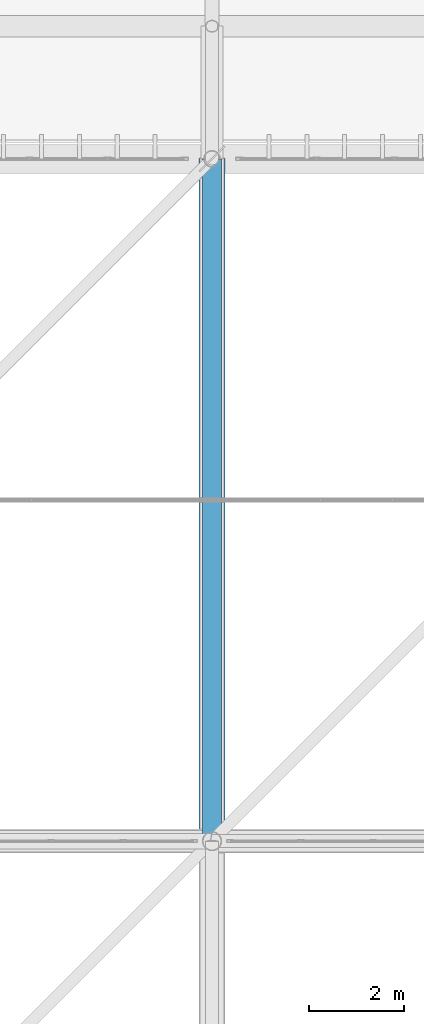
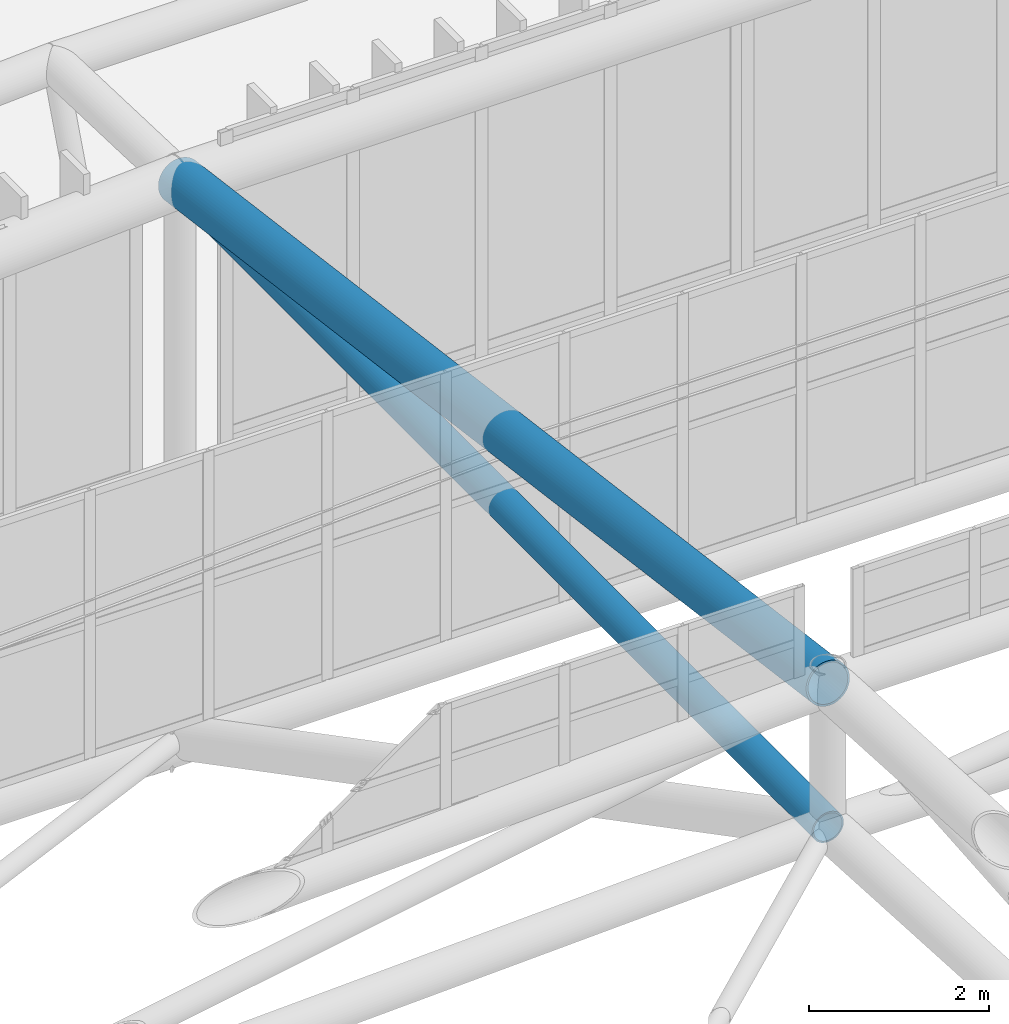
# One storey, part 250 of 397: 1 beam, 1 member.
"""IFC4 building model written with IfcOpenShell, lengths in metres."""

from ifc_helpers import new_model, si_unit, direction, frame, origin, origin_2d, place, context, subcontext, project, spatial, hollow_circle, extrude, material, material_profile, profile_set, type_object, element, save


model = new_model("IFC4")

# Units and contexts
model_context = context("Model", 3, precision=1e-05, world=origin(), true_north=direction((0.0, 1.0)))
body_context = subcontext(model_context, "Body", "Model", "MODEL_VIEW")
ifc_project = project(units=[si_unit("LENGTHUNIT", "METRE"), si_unit("AREAUNIT", "SQUARE_METRE"), si_unit("VOLUMEUNIT", "CUBIC_METRE"), si_unit("PLANEANGLEUNIT", "RADIAN"), si_unit("MASSUNIT", "GRAM", prefix="KILO")], contexts=[model_context])

# Site, building, storey
site_placement = place(None, origin())
site = spatial("IfcSite", under=ifc_project, at=site_placement, CompositionType="ELEMENT")
building_placement = place(site_placement, origin())
building = spatial("IfcBuilding", under=site, at=building_placement, Name="Qandorah Velis Arena", CompositionType="ELEMENT")
storey_placement = place(building_placement, frame((0.0, 0.0, 27.5)))
storey = spatial("IfcBuildingStorey", under=building, at=storey_placement, Name="RF", CompositionType="ELEMENT", Elevation=27.5)

# Beam
ifc_material_1 = material(Name="Steel S355", Category="steel")
ifc_material_profile_1 = material_profile(ifc_material_1, hollow_circle(Radius=0.279541015625, WallThickness=0.02490234375, at=origin_2d()), Name="CHS 559x25")
ifc_profile_set_1 = profile_set([ifc_material_profile_1], Name="Steel S355")
beam_type = type_object("IfcBeamType", Name="STR-SFC-CHS559X25", PredefinedType="USERDEFINED", material=ifc_profile_set_1)
beam_placement = place(storey_placement, frame((57.60009765625, 100.800048828125, 9.563232421875), z_axis=(0.0, 0.991340420998, -0.131317057903), x_axis=(-1.0, 0.0, 0.0)))
element("IfcBeam", 1, at=beam_placement, inside=storey, type_object=beam_type, Name="Space frame roof truss top chord Y 3.6", ObjectType="ROOF TRUSS", PredefinedType="USERDEFINED", context=body_context, shape_type="SweptSolid", body=[
    extrude(hollow_circle(Radius=0.279541015625, WallThickness=0.02490234375, at=origin_2d()), origin(), (0.0, 0.0, 1.0), 14.525634765625),
])

# Member
ifc_material_2 = material(Name="Steel S460", Category="steel")
ifc_material_profile_2 = material_profile(ifc_material_2, hollow_circle(Radius=0.203125, WallThickness=0.02001953125, at=origin_2d()), Name="CHS 406.4x20")
ifc_profile_set_2 = profile_set([ifc_material_profile_2], Name="Steel S460")
member_type = type_object("IfcMemberType", Name="STR-SFD-CHS406X20", PredefinedType="STRUT", material=ifc_profile_set_2)
member_placement = place(storey_placement, frame((57.60009765625, 100.800048828125, 7.61328125), z_axis=(0.0, 0.999995648623, 0.002950039722), x_axis=(-1.0, 0.0, 0.0)))
element("IfcMember", 2, at=member_placement, inside=storey, type_object=member_type, Name="Space frame roof diagonal Y 3.6", PredefinedType="STRUT", context=body_context, shape_type="SweptSolid", body=[
    extrude(hollow_circle(Radius=0.203125, WallThickness=0.02001953125, at=origin_2d()), origin(), (0.0, 0.0, 1.0), 14.39990234375),
])

save(model, "model.ifc")
